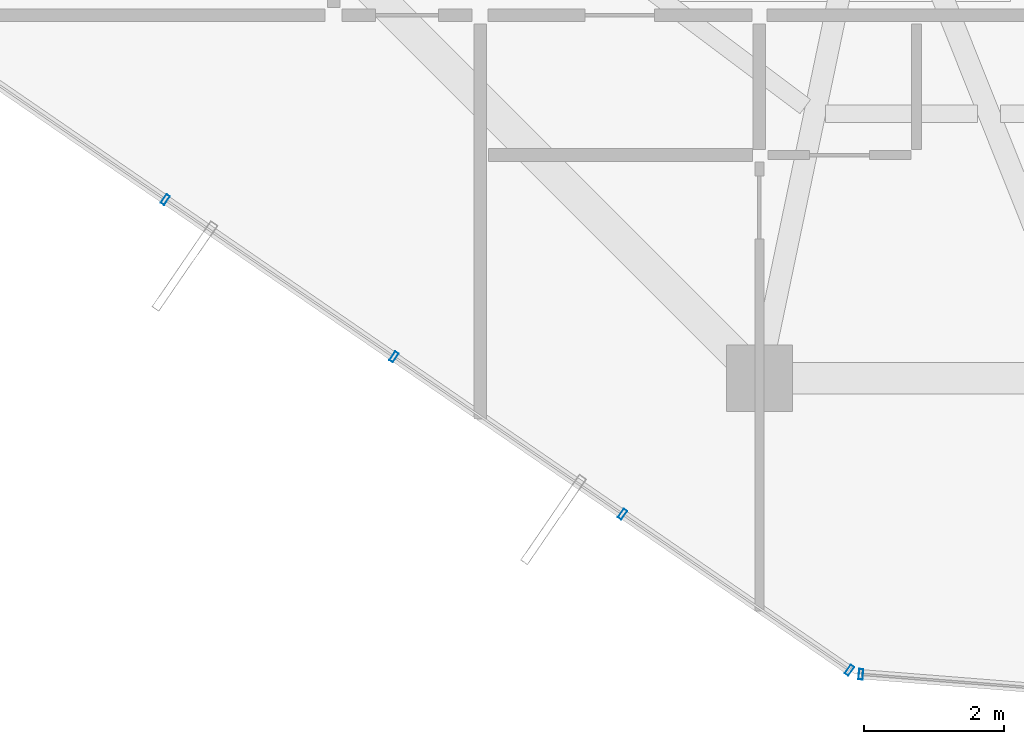
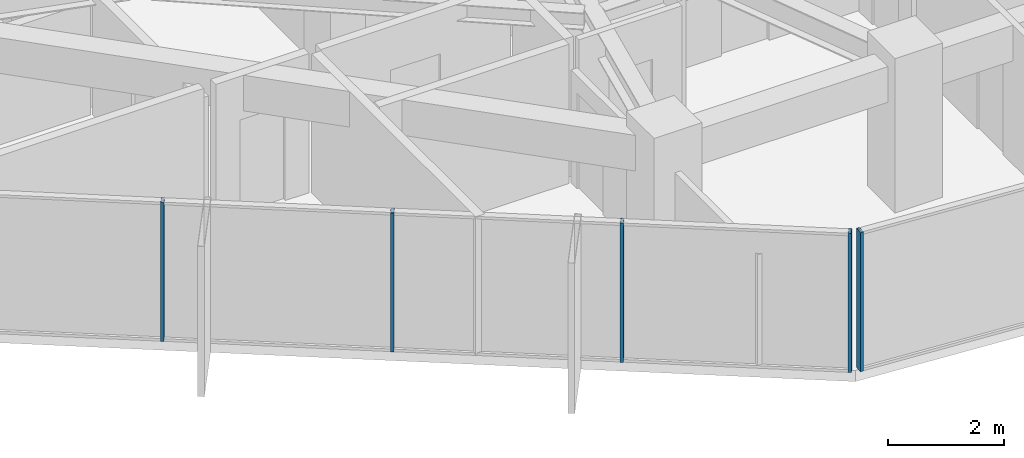
# One storey, part 2 of 29: 5 members, 2 elements without a shape of their own.
"""IFC4 building model written with IfcOpenShell, lengths in metres."""

import ifcopenshell
import ifcopenshell.guid

model = None  # the IFC model being written
_history = None  # IfcOwnerHistory: only IFC2X3 demands one
_inside = {}  # id of a spatial element -> (the spatial element, [elements in it])
_under = {}  # id of a project, library or spatial element -> (it, [spatial elements below it])
_declared = {}  # id of a project -> (the project, [libraries it declares])
_typed = {}  # id of a type object -> (the type object, [elements of that type])
_made_of = {}  # id of a material, layer set ... -> (it, [elements and type objects made of it])


def new_model(schema):
    """Start an empty IFC model of exactly this schema.

    Asked for "IFC4X3", IfcOpenShell would pick the latest addendum, in which some entities
    have other attributes; the version numbers below select the first issue.
    IFC2X3 requires an IfcOwnerHistory on every rooted entity: one is made here for all.
    """
    global model, _history
    if schema == "IFC4X3":
        model = ifcopenshell.file(schema_version=(4, 3, 0, 0))
    else:
        model = ifcopenshell.file(schema=schema)
    _inside.clear()
    _under.clear()
    _declared.clear()
    _typed.clear()
    _made_of.clear()
    _history = None
    if model.schema == "IFC2X3":
        org = make("IfcOrganization", Name="unknown")
        user = make(
            "IfcPersonAndOrganization",
            ThePerson=make("IfcPerson", FamilyName="unknown"),
            TheOrganization=org,
        )
        app = make(
            "IfcApplication",
            ApplicationDeveloper=org,
            Version="unknown",
            ApplicationFullName="unknown",
            ApplicationIdentifier="unknown",
        )
        _history = make(
            "IfcOwnerHistory",
            OwningUser=user,
            OwningApplication=app,
            ChangeAction="ADDED",
            CreationDate=0,
        )
    return model


def make(cls, **values):
    """One entity of the class cls with the attributes given. An attribute that is None is left unset."""
    return model.create_entity(
        cls, **{name: value for name, value in values.items() if value is not None}
    )


def rooted(cls, **values):
    """An entity with a GlobalId (a new one), such as an element, a storey or a relation."""
    return make(cls, GlobalId=ifcopenshell.guid.new(), OwnerHistory=_history, **values)


def si_unit(unit_type, name, prefix=None):
    """IfcSIUnit, for example si_unit("LENGTHUNIT", "METRE", prefix="MILLI")."""
    return make("IfcSIUnit", UnitType=unit_type, Prefix=prefix, Name=name)


def assignment(units):
    """IfcUnitAssignment: the units of a project."""
    return None if units is None else make("IfcUnitAssignment", Units=units)


def point(xyz):
    """IfcCartesianPoint."""
    return None if xyz is None else make("IfcCartesianPoint", Coordinates=xyz)


def direction(xyz):
    """IfcDirection."""
    return None if xyz is None else make("IfcDirection", DirectionRatios=xyz)


def frame(location, z_axis=None, x_axis=None):
    """IfcAxis2Placement3D, a coordinate frame: its origin and axes. An axis left out is left unset."""
    return make(
        "IfcAxis2Placement3D",
        Location=point(location),
        Axis=direction(z_axis),
        RefDirection=direction(x_axis),
    )


def frame_2d(location, x_axis=None):
    """IfcAxis2Placement2D, a coordinate frame in the plane: its origin and x axis."""
    return make(
        "IfcAxis2Placement2D", Location=point(location), RefDirection=direction(x_axis)
    )


def origin():
    """The frame at (0, 0, 0) with its axes left unset."""
    return frame((0.0, 0.0, 0.0))


def origin_2d():
    """The frame at (0, 0) in the plane with its x axis left unset."""
    return frame_2d((0.0, 0.0))


def place(relative_to, where):
    """IfcLocalPlacement: puts the frame where relative to a parent placement (None: the world)."""
    return make(
        "IfcLocalPlacement", PlacementRelTo=relative_to, RelativePlacement=where
    )


def context(
    kind, dimensions, precision=None, world=None, true_north=None, identifier=None
):
    """IfcGeometricRepresentationContext, for example the 3D "Model" context."""
    return make(
        "IfcGeometricRepresentationContext",
        ContextIdentifier=identifier,
        ContextType=kind,
        CoordinateSpaceDimension=dimensions,
        Precision=precision,
        WorldCoordinateSystem=world,
        TrueNorth=true_north,
    )


def subcontext(parent, identifier, kind, view, scale=None):
    """IfcGeometricRepresentationSubContext, for example "Body" below "Model"."""
    return make(
        "IfcGeometricRepresentationSubContext",
        ContextIdentifier=identifier,
        ContextType=kind,
        ParentContext=parent,
        TargetScale=scale,
        TargetView=view,
    )


def project(units=None, contexts=None):
    """IfcProject with its units and contexts."""
    return rooted(
        "IfcProject",
        Name="project",
        RepresentationContexts=contexts,
        UnitsInContext=assignment(units),
    )


def spatial(cls, under=None, at=None, **own):
    """A site, building, storey or space (cls), placed at a placement, below another one or the project."""
    s = rooted(cls, ObjectPlacement=at, **own)
    if under is not None:
        _under.setdefault(under.id(), (under, []))[1].append(s)
    return s


def profile(cls, at=None, kind="AREA", **sizes):
    """A parametric profile (cls). Its sizes go by their IFC names, for example OverallWidth=200.0."""
    return make(cls, ProfileType=kind, Position=at, **sizes)


def hollow_rectangle(**sizes):
    """IfcRectangleHollowProfileDef."""
    return profile("IfcRectangleHollowProfileDef", **sizes)


def extrude(swept, where, along, depth):
    """IfcExtrudedAreaSolid: the profile swept, set in the frame where, extruded along a direction by depth."""
    return make(
        "IfcExtrudedAreaSolid",
        SweptArea=swept,
        Position=where,
        ExtrudedDirection=direction(along),
        Depth=depth,
    )


def shape(context_of_items, identifier, shape_type, items):
    """IfcShapeRepresentation: the items that make up one representation, for example the "Body"."""
    return make(
        "IfcShapeRepresentation",
        ContextOfItems=context_of_items,
        RepresentationIdentifier=identifier,
        RepresentationType=shape_type,
        Items=items,
    )


def source(mapping_origin, context_of_items, identifier, shape_type, items):
    """IfcRepresentationMap: a shape defined once, which mapped items show again and again."""
    return make(
        "IfcRepresentationMap",
        MappingOrigin=mapping_origin,
        MappedRepresentation=shape(context_of_items, identifier, shape_type, items),
    )


def transform(
    local_origin,
    x_axis=None,
    y_axis=None,
    z_axis=None,
    scale=None,
    scale2=None,
    scale3=None,
    uniform=True,
):
    """IfcCartesianTransformationOperator3D, or its non-uniform kind. x_axis, y_axis, z_axis: its Axis1, 2, 3."""
    if uniform:
        return make(
            "IfcCartesianTransformationOperator3D",
            Axis1=direction(x_axis),
            Axis2=direction(y_axis),
            LocalOrigin=point(local_origin),
            Scale=scale,
            Axis3=direction(z_axis),
        )
    return make(
        "IfcCartesianTransformationOperator3DnonUniform",
        Axis1=direction(x_axis),
        Axis2=direction(y_axis),
        LocalOrigin=point(local_origin),
        Scale=scale,
        Axis3=direction(z_axis),
        Scale2=scale2,
        Scale3=scale3,
    )


def mapped(mapping_source, mapping_target):
    """IfcMappedItem: shows the shape of a source again, moved by a transform."""
    return make(
        "IfcMappedItem", MappingSource=mapping_source, MappingTarget=mapping_target
    )


def material(Name=None, Category=None):
    """IfcMaterial."""
    return make("IfcMaterial", Name=Name, Category=Category)


def layer(
    of_material, thickness, ventilated=None, Name=None, Category=None, Priority=None
):
    """IfcMaterialLayer: one layer of a wall or slab, of a material (None: an air gap)."""
    return make(
        "IfcMaterialLayer",
        Material=of_material,
        LayerThickness=thickness,
        IsVentilated=ventilated,
        Name=Name,
        Category=Category,
        Priority=Priority,
    )


def layer_set(layers, Name=None):
    """IfcMaterialLayerSet."""
    return make("IfcMaterialLayerSet", MaterialLayers=layers, LayerSetName=Name)


def material_profile(
    of_material, cross_section, Name=None, Category=None, Priority=None
):
    """IfcMaterialProfile: a cross section and its material."""
    return make(
        "IfcMaterialProfile",
        Name=Name,
        Material=of_material,
        Profile=cross_section,
        Priority=Priority,
        Category=Category,
    )


def profile_set(profiles, Name=None, composite=None):
    """IfcMaterialProfileSet."""
    return make(
        "IfcMaterialProfileSet",
        Name=Name,
        MaterialProfiles=profiles,
        CompositeProfile=composite,
    )


def made_of(thing, what):
    """Note that an element or type object is made of a material, layer set ...; save() writes the relation."""
    if what is not None:
        _made_of.setdefault(what.id(), (what, []))[1].append(thing)
    return thing


def type_object(cls, material=None, **own):
    """A type object (cls), such as IfcWallType, which elements share."""
    return made_of(rooted(cls, **own), material)


def element(
    cls,
    number,
    at=None,
    inside=None,
    cuts=None,
    type_object=None,
    material=None,
    context=None,
    identifier="Body",
    shape_type=None,
    held_by="IfcProductDefinitionShape",
    body=None,
    shapes=None,
    **own,
):
    """One element of the class cls, such as IfcWall. Its Tag is "e" and its number.

    at: its placement. inside: the storey or other place that contains it. cuts: it is an
    opening in that element (IfcRelVoidsElement). A single representation is given by context,
    identifier, shape_type and body (its items); several are given by shapes. held_by: the class
    of the entity that holds the representations. save() writes the other relations.
    """
    e = rooted(cls, Tag="e%d" % number, ObjectPlacement=at, **own)
    if body is not None:
        shapes = [shape(context, identifier, shape_type, body)]
    if shapes is not None:
        e.Representation = make(held_by, Representations=shapes)
    if inside is not None:
        _inside.setdefault(inside.id(), (inside, []))[1].append(e)
    if cuts is not None:
        rooted(
            "IfcRelVoidsElement", RelatingBuildingElement=cuts, RelatedOpeningElement=e
        )
    if type_object is not None:
        _typed.setdefault(type_object.id(), (type_object, []))[1].append(e)
    return made_of(e, material)


def aggregate(whole, parts):
    """IfcRelAggregates: a whole, such as a stair, and the parts it consists of."""
    return rooted("IfcRelAggregates", RelatingObject=whole, RelatedObjects=parts)


def save(model, path):
    """Write the relations noted so far, then the file.

    IfcRelAggregates (storeys below a building ...), IfcRelContainedInSpatialStructure (elements
    in a storey), IfcRelDefinesByType, IfcRelAssociatesMaterial and IfcRelDeclares: one each for
    every whole, place, type object, material and project.
    """
    for whole, parts in _under.values():
        aggregate(whole, parts)
    for where, things in _inside.values():
        rooted(
            "IfcRelContainedInSpatialStructure",
            RelatedElements=things,
            RelatingStructure=where,
        )
    for kind, things in _typed.values():
        rooted("IfcRelDefinesByType", RelatedObjects=things, RelatingType=kind)
    for what, things in _made_of.values():
        rooted("IfcRelAssociatesMaterial", RelatedObjects=things, RelatingMaterial=what)
    for by, libraries in _declared.values():
        rooted("IfcRelDeclares", RelatingContext=by, RelatedDefinitions=libraries)
    model.write(path)


model = new_model("IFC4")

# Units and contexts
model_context = context("Model", 3, precision=1e-05, world=origin(), true_north=direction((0.0, 1.0)))
body_context = subcontext(model_context, "Body", "Model", "MODEL_VIEW")
ifc_project = project(units=[si_unit("LENGTHUNIT", "METRE"), si_unit("AREAUNIT", "SQUARE_METRE"), si_unit("VOLUMEUNIT", "CUBIC_METRE"), si_unit("PLANEANGLEUNIT", "RADIAN"), si_unit("MASSUNIT", "GRAM", prefix="KILO")], contexts=[model_context])

# Site, building, storey
site_placement = place(None, origin())
site = spatial("IfcSite", under=ifc_project, at=site_placement, CompositionType="ELEMENT")
building_placement = place(site_placement, origin())
building = spatial("IfcBuilding", under=site, at=building_placement, Name="Veraguas Prism Commons", CompositionType="ELEMENT")
storey_placement = place(building_placement, frame((0.0, 0.0, 222.14990234375)))
storey = spatial("IfcBuildingStorey", under=building, at=storey_placement, Name="L63", CompositionType="ELEMENT", Elevation=222.14990234375)

# Curtain wall, members
ifc_material = material(Name="Anodised aluminium EN AW-6063 T6", Category="aluminium")
ifc_layer = layer(ifc_material, 0.14990234375, Name="Unitised Flush Curtain Wall Zone 3", Category="aluminium")
ifc_layer_set = layer_set([ifc_layer], Name="Anodised aluminium EN AW-6063 T6")
curtain_wall_type = type_object("IfcCurtainWallType", Name="Unitised Flush Curtain Wall Zone 3", PredefinedType="NOTDEFINED", material=ifc_layer_set)
curtain_wall_1_placement = place(storey_placement, origin())
curtain_wall_1 = element("IfcCurtainWall", 1, at=curtain_wall_1_placement, inside=storey, type_object=curtain_wall_type, Name="Tower Facade Curtain Wall L63-F4", PredefinedType="NOTDEFINED")
ifc_material_profile = material_profile(ifc_material, hollow_rectangle(XDim=0.06005859375, YDim=0.14990234375, WallThickness=0.0029296875, at=origin_2d()), Name="AL60X150X3")
ifc_profile_set = profile_set([ifc_material_profile], Name="Anodised aluminium EN AW-6063 T6")
member_type = type_object("IfcMemberType", Name="Curtain Wall Mullion Upper AL 60x150x3", PredefinedType="MULLION", material=ifc_profile_set)
shared_shape = source(origin(), body_context, "Body", "SweptSolid", [
    extrude(hollow_rectangle(XDim=0.06005859375, YDim=0.14990234375, WallThickness=0.0029296875, at=origin_2d()), origin(), (0.0, 0.0, 1.0), 2.93017578125),
])
member_1_placement = place(storey_placement, frame((10.688232421875, 11.6611328125, 0.0), z_axis=(0.0, 0.0, 1.0), x_axis=(0.823926447203, -0.56669675277, 0.0)))
member_1 = element("IfcMember", 2, at=member_1_placement, type_object=member_type, Name="CW-Z3 Mullion 2", PredefinedType="MULLION", context=body_context, shape_type="MappedRepresentation", body=[
    mapped(shared_shape, transform((0.0, 0.0, 0.0), scale=1.0)),
])
member_2_placement = place(storey_placement, frame((13.9638671875, 9.407958984375, 0.0), z_axis=(0.0, 0.0, 1.0), x_axis=(0.823926447203, -0.56669675277, 0.0)))
member_2 = element("IfcMember", 3, at=member_2_placement, type_object=member_type, Name="CW-Z3 Mullion 3", PredefinedType="MULLION", context=body_context, shape_type="MappedRepresentation", body=[
    mapped(shared_shape, transform((0.0, 0.0, 0.0), scale=1.0)),
])
member_3_placement = place(storey_placement, frame((17.2392578125, 7.155029296875, 0.0), z_axis=(0.0, 0.0, 1.0), x_axis=(0.823926447203, -0.56669675277, 0.0)))
member_3 = element("IfcMember", 4, at=member_3_placement, type_object=member_type, Name="CW-Z3 Mullion 4", PredefinedType="MULLION", context=body_context, shape_type="MappedRepresentation", body=[
    mapped(shared_shape, transform((0.0, 0.0, 0.0), scale=1.0)),
])
member_4_placement = place(storey_placement, frame((20.490234375, 4.919189453125, 0.0), z_axis=(0.0, 0.0, 1.0), x_axis=(0.823926447203, -0.56669675277, 0.0)))
member_4 = element("IfcMember", 5, at=member_4_placement, type_object=member_type, Name="CW-Z3 Mullion 5", PredefinedType="MULLION", context=body_context, shape_type="MappedRepresentation", body=[
    mapped(shared_shape, transform((0.0, 0.0, 0.0), scale=1.0)),
])
aggregate(curtain_wall_1, [member_1, member_2, member_3, member_4])

# Curtain wall, member
curtain_wall_2_placement = place(storey_placement, origin())
curtain_wall_2 = element("IfcCurtainWall", 6, at=curtain_wall_2_placement, inside=storey, type_object=curtain_wall_type, Name="Chamfer Curtain Wall L63-C5", PredefinedType="NOTDEFINED")
member_5_placement = place(storey_placement, frame((20.654052734375, 4.861083984375, 0.0), z_axis=(0.0, 0.0, 1.0), x_axis=(0.99689043576, -0.078800121131, 0.0)))
member_5 = element("IfcMember", 7, at=member_5_placement, type_object=member_type, Name="CW-Z3 Mullion 1", PredefinedType="MULLION", context=body_context, shape_type="MappedRepresentation", body=[
    mapped(shared_shape, transform((0.0, 0.0, 0.0), scale=1.0)),
])
aggregate(curtain_wall_2, [member_5])

save(model, "model.ifc")
